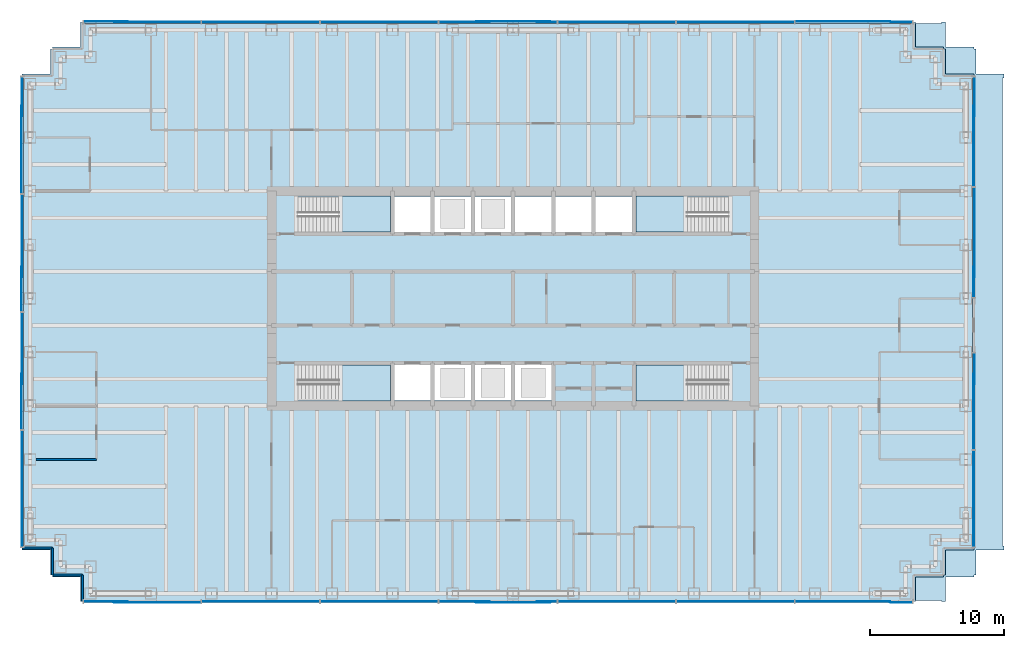
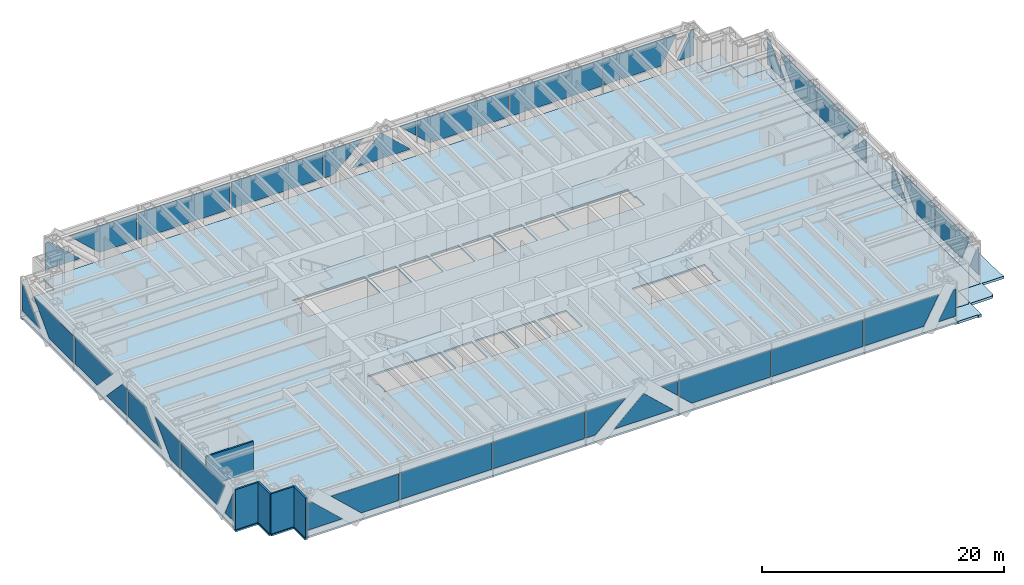
# One storey, part 6 of 12: 38 plates, 6 slabs, 5 walls, 9 elements without a shape of their own.
"""IFC4 building model written with IfcOpenShell, lengths in metres."""

from ifc_helpers import new_model, si_unit, direction, frame, frame_2d, origin, origin_2d, place, context, subcontext, project, spatial, polyline, rectangle, outline, extrude, material, layer, layer_set, type_object, element, aggregate, save


model = new_model("IFC4")

# Units and contexts
model_context = context("Model", 3, precision=1e-05, world=origin(), true_north=direction((0.0, 1.0)))
body_context = subcontext(model_context, "Body", "Model", "MODEL_VIEW")
ifc_project = project(units=[si_unit("LENGTHUNIT", "METRE"), si_unit("AREAUNIT", "SQUARE_METRE"), si_unit("VOLUMEUNIT", "CUBIC_METRE"), si_unit("PLANEANGLEUNIT", "RADIAN"), si_unit("MASSUNIT", "GRAM", prefix="KILO")], contexts=[model_context])

# Site, building, storey
site_placement = place(None, origin())
site = spatial("IfcSite", under=ifc_project, at=site_placement, CompositionType="ELEMENT")
building_placement = place(site_placement, origin())
building = spatial("IfcBuilding", under=site, at=building_placement, Name="Rheinbord Bourse Tower", CompositionType="ELEMENT")
storey_placement = place(building_placement, frame((0.0, 0.0, 271.10009765625)))
storey = spatial("IfcBuildingStorey", under=building, at=storey_placement, Name="L61", CompositionType="ELEMENT", Elevation=271.10009765625)

# Slab
ifc_material_1 = material(Name="Concrete C30/37", Category="concrete")
ifc_layer_1 = layer(ifc_material_1, 0.159912109375)
ifc_layer_set_1 = layer_set([ifc_layer_1], Name="COMPOSITE FLOOR SLAB 160")
slab_type_1 = type_object("IfcSlabType", Name="COMPOSITE FLOOR SLAB 160", PredefinedType="FLOOR", material=ifc_layer_set_1)
slab_1_placement = place(storey_placement, frame((0.0, 0.0, -0.16015625)))
element("IfcSlab", 1, at=slab_1_placement, inside=storey, type_object=slab_type_1, Name="Floor slab L61", PredefinedType="FLOOR", context=body_context, shape_type="SweptSolid", body=[
    extrude(outline(polyline([(1.64990234375, 3.39990234375), (1.5, 3.39990234375), (1.5, 5.25), (-0.60009765625, 5.25), (-0.60009765625, 5.550048828125), (-0.5, 5.550048828125), (-0.5, 40.449951171875), (-0.60009765625, 40.449951171875), (-0.60009765625, 40.75), (1.5, 40.75), (1.5, 42.60009765625), (1.64990234375, 42.60009765625), (1.64990234375, 42.75), (3.75, 42.75), (3.75, 44.60009765625), (4.050048828125, 44.60009765625), (4.050048828125, 44.5), (65.699951171875, 44.5), (65.699951171875, 44.60009765625), (66.0, 44.60009765625), (66.0, 42.75), (68.10009765625, 42.75), (68.10009765625, 42.60009765625), (68.25, 42.60009765625), (68.25, 40.75), (70.35009765625, 40.75), (70.35009765625, 40.449951171875), (70.25, 40.449951171875), (70.25, 5.550048828125), (70.35009765625, 5.550048828125), (70.35009765625, 5.25), (68.25, 5.25), (68.25, 3.39990234375), (68.10009765625, 3.39990234375), (68.10009765625, 3.25), (66.0, 3.25), (66.0, 1.39990234375), (65.699951171875, 1.39990234375), (65.699951171875, 1.5), (4.050048828125, 1.5), (4.050048828125, 1.39990234375), (3.75, 1.39990234375), (3.75, 3.25), (1.64990234375, 3.25), (1.64990234375, 3.39990234375)]), holes=[polyline([(19.949951171875, 19.050048828125), (26.85009765625, 19.050048828125), (26.85009765625, 16.39990234375), (19.949951171875, 16.39990234375), (19.949951171875, 16.449951171875), (20.10009765625, 16.449951171875), (20.10009765625, 17.64990234375), (19.949951171875, 17.64990234375), (19.949951171875, 19.050048828125)]), polyline([(19.949951171875, 31.60009765625), (26.85009765625, 31.60009765625), (26.85009765625, 28.949951171875), (19.949951171875, 28.949951171875), (19.949951171875, 30.35009765625), (20.10009765625, 30.35009765625), (20.10009765625, 31.550048828125), (19.949951171875, 31.550048828125), (19.949951171875, 31.60009765625)]), polyline([(52.050048828125, 16.39990234375), (45.14990234375, 16.39990234375), (45.14990234375, 19.050048828125), (52.050048828125, 19.050048828125), (52.050048828125, 17.64990234375), (51.89990234375, 17.64990234375), (51.89990234375, 16.449951171875), (52.050048828125, 16.449951171875), (52.050048828125, 16.39990234375)]), polyline([(52.050048828125, 28.949951171875), (45.14990234375, 28.949951171875), (45.14990234375, 31.60009765625), (52.050048828125, 31.60009765625), (52.050048828125, 31.550048828125), (51.89990234375, 31.550048828125), (51.89990234375, 30.35009765625), (52.050048828125, 30.35009765625), (52.050048828125, 28.949951171875)]), polyline([(27.14990234375, 16.39990234375), (27.14990234375, 19.050048828125), (29.85009765625, 19.050048828125), (29.85009765625, 16.39990234375), (27.14990234375, 16.39990234375)]), polyline([(27.14990234375, 28.949951171875), (27.14990234375, 31.60009765625), (29.85009765625, 31.60009765625), (29.85009765625, 28.949951171875), (27.14990234375, 28.949951171875)]), polyline([(30.14990234375, 16.39990234375), (30.14990234375, 19.050048828125), (32.85009765625, 19.050048828125), (32.85009765625, 16.39990234375), (30.14990234375, 16.39990234375)]), polyline([(30.14990234375, 28.949951171875), (30.14990234375, 31.60009765625), (32.85009765625, 31.60009765625), (32.85009765625, 28.949951171875), (30.14990234375, 28.949951171875)]), polyline([(33.14990234375, 16.39990234375), (33.14990234375, 19.050048828125), (35.85009765625, 19.050048828125), (35.85009765625, 16.39990234375), (33.14990234375, 16.39990234375)]), polyline([(33.14990234375, 28.949951171875), (33.14990234375, 31.60009765625), (35.85009765625, 31.60009765625), (35.85009765625, 28.949951171875), (33.14990234375, 28.949951171875)]), polyline([(36.14990234375, 16.39990234375), (36.14990234375, 19.050048828125), (38.85009765625, 19.050048828125), (38.85009765625, 16.39990234375), (36.14990234375, 16.39990234375)]), polyline([(36.14990234375, 28.949951171875), (36.14990234375, 31.60009765625), (38.85009765625, 31.60009765625), (38.85009765625, 28.949951171875), (36.14990234375, 28.949951171875)]), polyline([(39.14990234375, 28.949951171875), (39.14990234375, 31.60009765625), (41.85009765625, 31.60009765625), (41.85009765625, 28.949951171875), (39.14990234375, 28.949951171875)]), polyline([(42.14990234375, 28.949951171875), (42.14990234375, 31.60009765625), (44.85009765625, 31.60009765625), (44.85009765625, 28.949951171875), (42.14990234375, 28.949951171875)])]), origin(), (0.0, 0.0, 1.0), 0.16015625),
])

# Curtain wall, plates
ifc_material_2 = material(Name="Dark glass and black aluminium", Category="aluminium")
curtain_wall_type = type_object("IfcCurtainWallType", Name="CW6 DARK GLASS CURTAIN WALL", PredefinedType="USERDEFINED", material=ifc_material_2)
curtain_wall_1_placement = place(storey_placement, origin())
curtain_wall_1 = element("IfcCurtainWall", 2, at=curtain_wall_1_placement, inside=storey, type_object=curtain_wall_type, Name="Curtain wall CW6 S L61", ObjectType="UNITISED CURTAIN WALL", PredefinedType="USERDEFINED")
ifc_material_3 = material(Name="Dark tinted triple insulating glass", Category="glass")
ifc_layer_2 = layer(ifc_material_3, 0.050048828125)
ifc_layer_set_2 = layer_set([ifc_layer_2], Name="CW6 DARK GLASS PANEL")
plate_type = type_object("IfcPlateType", Name="CW6 DARK GLASS PANEL", PredefinedType="CURTAIN_PANEL", material=ifc_layer_set_2)
plate_1_placement = place(storey_placement, frame((17.175048828125, 1.39990234375, 0.75), z_axis=(0.0, 0.0, 1.0), x_axis=(1.0, 0.0, 0.0)))
plate_1 = element("IfcPlate", 3, at=plate_1_placement, type_object=plate_type, Name="CW6 panel 2.1", PredefinedType="CURTAIN_PANEL", context=body_context, shape_type="SweptSolid", body=[
    extrude(rectangle(XDim=8.75, YDim=0.050048828125, at=origin_2d()), origin(), (0.0, 0.0, 1.0), 2.699951171875),
])
plate_2_placement = place(storey_placement, frame((26.02490234375, 1.39990234375, 0.75), z_axis=(0.0, 0.0, 1.0), x_axis=(1.0, 0.0, 0.0)))
plate_2 = element("IfcPlate", 4, at=plate_2_placement, type_object=plate_type, Name="CW6 panel 3.1", PredefinedType="CURTAIN_PANEL", context=body_context, shape_type="SweptSolid", body=[
    extrude(rectangle(XDim=8.75, YDim=0.050048828125, at=origin_2d()), origin(), (0.0, 0.0, 1.0), 2.699951171875),
])
plate_3_placement = place(storey_placement, frame((52.574951171875, 1.39990234375, 0.75), z_axis=(0.0, 0.0, 1.0), x_axis=(1.0, 0.0, 0.0)))
plate_3 = element("IfcPlate", 5, at=plate_3_placement, type_object=plate_type, Name="CW6 panel 6.1", PredefinedType="CURTAIN_PANEL", context=body_context, shape_type="SweptSolid", body=[
    extrude(rectangle(XDim=8.75, YDim=0.050048828125, at=origin_2d()), origin(), (0.0, 0.0, 1.0), 2.699951171875),
])
plate_4_placement = place(storey_placement, frame((4.0, 1.375, 0.75), z_axis=(0.0, 1.0, 0.0), x_axis=(0.0, 0.0, 1.0)))
plate_4 = element("IfcPlate", 6, at=plate_4_placement, type_object=plate_type, Name="CW6 glass facet 1", PredefinedType="CURTAIN_PANEL", context=body_context, shape_type="SweptSolid", body=[
    extrude(outline(polyline([(0.0, 0.0), (2.699951171875, 0.0), (2.699951171875, 0.4169921875), (0.0, 3.31005859375), (0.0, 0.0)])), origin(), (0.0, 0.0, 1.0), 0.050048828125),
])
plate_5_placement = place(storey_placement, frame((12.699951171875, 1.31982421875, 3.449951171875), z_axis=(0.0, 1.0, 0.0), x_axis=(0.0, 0.0, -1.0)))
plate_5 = element("IfcPlate", 7, at=plate_5_placement, type_object=plate_type, Name="CW6 glass facet 2", PredefinedType="CURTAIN_PANEL", context=body_context, shape_type="SweptSolid", body=[
    extrude(outline(polyline([(0.0, 0.0), (2.699951171875, 0.0), (2.699951171875, 3.616943359375), (0.0, 6.510009765625), (0.0, 0.0)])), origin(), (0.0, 0.0, 1.0), 0.050048828125),
])
plate_6_placement = place(storey_placement, frame((30.5, 1.375, 0.75), z_axis=(0.0, 1.0, 0.0), x_axis=(0.0, 0.0, 1.0)))
plate_6 = element("IfcPlate", 8, at=plate_6_placement, type_object=plate_type, Name="CW6 glass facet 1", PredefinedType="CURTAIN_PANEL", context=body_context, shape_type="SweptSolid", body=[
    extrude(outline(polyline([(0.0, 0.0), (2.699951171875, 0.0), (2.699951171875, 3.81005859375), (0.0, 0.9169921875), (0.0, 0.0)])), origin(), (0.0, 0.0, 1.0), 0.050048828125),
])
plate_7_placement = place(storey_placement, frame((33.18994140625, 1.31982421875, 0.75), z_axis=(0.0, 1.0, 0.0), x_axis=(0.731171443304, 0.0, 0.682193755833)))
plate_7 = element("IfcPlate", 9, at=plate_7_placement, type_object=plate_type, Name="CW6 glass facet 2", PredefinedType="CURTAIN_PANEL", context=body_context, shape_type="SweptSolid", body=[
    extrude(outline(polyline([(0.0, 0.0), (3.84326171875, 0.0), (4.109375, 3.833984375), (0.0, 0.0)])), origin(), (0.0, 0.0, 1.0), 0.050048828125),
])
plate_8_placement = place(storey_placement, frame((39.25, 1.375, 3.449951171875), z_axis=(0.0, 1.0, 0.0), x_axis=(0.0, 0.0, -1.0)))
plate_8 = element("IfcPlate", 10, at=plate_8_placement, type_object=plate_type, Name="CW6 glass facet 3", PredefinedType="CURTAIN_PANEL", context=body_context, shape_type="SweptSolid", body=[
    extrude(outline(polyline([(0.0, 0.0), (1.4560546875, 0.0), (0.0, 1.56005859375), (0.0, 0.0)])), origin(), (0.0, 0.0, 1.0), 0.050048828125),
])
plate_9_placement = place(storey_placement, frame((39.35009765625, 1.375, 3.449951171875), z_axis=(0.0, 1.0, 0.0), x_axis=(1.0, 0.0, 0.0)))
plate_9 = element("IfcPlate", 11, at=plate_9_placement, type_object=plate_type, Name="CW6 glass facet 1", PredefinedType="CURTAIN_PANEL", context=body_context, shape_type="SweptSolid", body=[
    extrude(outline(polyline([(0.0, 0.0), (8.75, 0.0), (8.75, 2.699951171875), (1.23291015625, 2.699951171875), (0.0, 1.549072265625), (0.0, 0.0)])), origin(), (0.0, 0.0, 1.0), 0.050048828125),
])
plate_10_placement = place(storey_placement, frame((57.050048828125, 1.375, 0.75), z_axis=(0.0, 1.0, 0.0), x_axis=(0.0, 0.0, 1.0)))
plate_10 = element("IfcPlate", 12, at=plate_10_placement, type_object=plate_type, Name="CW6 glass facet 1", PredefinedType="CURTAIN_PANEL", context=body_context, shape_type="SweptSolid", body=[
    extrude(outline(polyline([(0.0, 0.0), (2.699951171875, 0.0), (2.699951171875, 7.112060546875), (0.0, 5.6650390625), (0.0, 0.0)])), origin(), (0.0, 0.0, 1.0), 0.050048828125),
])
plate_11_placement = place(storey_placement, frame((65.75, 1.31982421875, 3.449951171875), z_axis=(0.0, 1.0, 0.0), x_axis=(0.0, 0.0, -1.0)))
plate_11 = element("IfcPlate", 13, at=plate_11_placement, type_object=plate_type, Name="CW6 glass facet 2", PredefinedType="CURTAIN_PANEL", context=body_context, shape_type="SweptSolid", body=[
    extrude(outline(polyline([(0.0, 0.0), (2.699951171875, 0.0), (2.699951171875, 1.662109375), (0.0, 0.215087890625), (0.0, 0.0)])), origin(), (0.0, 0.0, 1.0), 0.050048828125),
])
aggregate(curtain_wall_1, [plate_1, plate_2, plate_3, plate_4, plate_5, plate_6, plate_7, plate_8, plate_9, plate_10, plate_11])

curtain_wall_2_placement = place(storey_placement, origin())
curtain_wall_2 = element("IfcCurtainWall", 14, at=curtain_wall_2_placement, inside=storey, type_object=curtain_wall_type, Name="Curtain wall CW6 E L61", ObjectType="UNITISED CURTAIN WALL", PredefinedType="USERDEFINED")
plate_12_placement = place(storey_placement, frame((70.375, 5.5, 0.75), z_axis=(-1.0, 0.0, 0.0), x_axis=(0.0, 0.0, 1.0)))
plate_12 = element("IfcPlate", 15, at=plate_12_placement, type_object=plate_type, Name="CW6 glass facet 1", PredefinedType="CURTAIN_PANEL", context=body_context, shape_type="SweptSolid", body=[
    extrude(outline(polyline([(0.0, 0.0), (2.699951171875, 0.0), (2.699951171875, 0.18701171875), (0.0, 1.472900390625), (0.0, 0.0)])), origin(), (0.0, 0.0, 1.0), 0.050048828125),
])
plate_13_placement = place(storey_placement, frame((70.375, 12.64990234375, 3.449951171875), z_axis=(-1.0, 0.0, 0.0), x_axis=(0.0, 0.0, -1.0)))
plate_13 = element("IfcPlate", 16, at=plate_13_placement, type_object=plate_type, Name="CW6 glass facet 2", PredefinedType="CURTAIN_PANEL", context=body_context, shape_type="SweptSolid", body=[
    extrude(outline(polyline([(0.0, 0.0), (2.699951171875, 0.0), (2.699951171875, 4.3369140625), (0.0, 5.622802734375), (0.0, 0.0)])), origin(), (0.0, 0.0, 1.0), 0.050048828125),
])
plate_14_placement = place(storey_placement, frame((70.375, 12.75, 0.75), z_axis=(-1.0, 0.0, 0.0), x_axis=(0.0, 0.0, 1.0)))
plate_14 = element("IfcPlate", 17, at=plate_14_placement, type_object=plate_type, Name="CW6 glass facet 1", PredefinedType="CURTAIN_PANEL", context=body_context, shape_type="SweptSolid", body=[
    extrude(outline(polyline([(0.0, 0.0), (2.699951171875, 0.0), (2.699951171875, 5.699951171875), (0.0, 3.12890625), (0.0, 0.0)])), origin(), (0.0, 0.0, 1.0), 0.050048828125),
])
plate_15_placement = place(storey_placement, frame((70.43017578125, 19.89990234375, 0.75), z_axis=(-1.0, 0.0, 0.0), x_axis=(0.0, -1.0, 0.0)))
plate_15 = element("IfcPlate", 18, at=plate_15_placement, type_object=plate_type, Name="CW6 glass facet 2", PredefinedType="CURTAIN_PANEL", context=body_context, shape_type="SweptSolid", body=[
    extrude(outline(polyline([(0.0, 0.0), (2.349853515625, 0.0), (0.0, 2.468017578125), (0.0, 0.0)])), origin(), (0.0, 0.0, 1.0), 0.050048828125),
])
aggregate(curtain_wall_2, [plate_12, plate_13, plate_14, plate_15])

curtain_wall_3_placement = place(storey_placement, origin())
curtain_wall_3 = element("IfcCurtainWall", 19, at=curtain_wall_3_placement, inside=storey, type_object=curtain_wall_type, Name="Curtain wall CW6 E L61", ObjectType="UNITISED CURTAIN WALL", PredefinedType="USERDEFINED")
plate_16_placement = place(storey_placement, frame((70.375, 24.10009765625, 0.75), z_axis=(-1.0, 0.0, 0.0), x_axis=(0.0, 0.0, 1.0)))
plate_16 = element("IfcPlate", 20, at=plate_16_placement, type_object=plate_type, Name="CW6 glass facet 1", PredefinedType="CURTAIN_PANEL", context=body_context, shape_type="SweptSolid", body=[
    extrude(outline(polyline([(0.0, 0.0), (2.468017578125, 0.0), (0.0, 2.349853515625), (0.0, 0.0)])), origin(), (0.0, 0.0, 1.0), 0.050048828125),
])
plate_17_placement = place(storey_placement, frame((70.43017578125, 32.25, 3.449951171875), z_axis=(-1.0, 0.0, 0.0), x_axis=(0.0, 0.0, -1.0)))
plate_17 = element("IfcPlate", 21, at=plate_17_placement, type_object=plate_type, Name="CW6 glass facet 2", PredefinedType="CURTAIN_PANEL", context=body_context, shape_type="SweptSolid", body=[
    extrude(outline(polyline([(0.0, 0.0), (2.699951171875, 0.0), (2.699951171875, 4.12890625), (0.0, 6.699951171875), (0.0, 0.0)])), origin(), (0.0, 0.0, 1.0), 0.050048828125),
])
plate_18_placement = place(storey_placement, frame((70.375, 32.35009765625, 0.75), z_axis=(-1.0, 0.0, 0.0), x_axis=(0.0, 0.0, 1.0)))
plate_18 = element("IfcPlate", 22, at=plate_18_placement, type_object=plate_type, Name="CW6 glass facet 1", PredefinedType="CURTAIN_PANEL", context=body_context, shape_type="SweptSolid", body=[
    extrude(outline(polyline([(0.0, 0.0), (2.699951171875, 0.0), (2.699951171875, 6.099853515625), (0.0, 3.52880859375), (0.0, 0.0)])), origin(), (0.0, 0.0, 1.0), 0.050048828125),
])
plate_19_placement = place(storey_placement, frame((70.43017578125, 40.5, 3.449951171875), z_axis=(-1.0, 0.0, 0.0), x_axis=(0.0, 0.0, -1.0)))
plate_19 = element("IfcPlate", 23, at=plate_19_placement, type_object=plate_type, Name="CW6 glass facet 2", PredefinedType="CURTAIN_PANEL", context=body_context, shape_type="SweptSolid", body=[
    extrude(outline(polyline([(0.0, 0.0), (2.699951171875, 0.0), (2.699951171875, 2.949951171875), (0.0, 0.37890625), (0.0, 0.0)])), origin(), (0.0, 0.0, 1.0), 0.050048828125),
])
aggregate(curtain_wall_3, [plate_16, plate_17, plate_18, plate_19])

curtain_wall_4_placement = place(storey_placement, origin())
curtain_wall_4 = element("IfcCurtainWall", 24, at=curtain_wall_4_placement, inside=storey, type_object=curtain_wall_type, Name="Curtain wall CW6 N L61", ObjectType="UNITISED CURTAIN WALL", PredefinedType="USERDEFINED")
plate_20_placement = place(storey_placement, frame((52.574951171875, 44.60009765625, 0.75), z_axis=(0.0, 0.0, 1.0), x_axis=(-1.0, 0.0, 0.0)))
plate_20 = element("IfcPlate", 25, at=plate_20_placement, type_object=plate_type, Name="CW6 panel 2.1", PredefinedType="CURTAIN_PANEL", context=body_context, shape_type="SweptSolid", body=[
    extrude(rectangle(XDim=8.75, YDim=0.050048828125, at=origin_2d()), origin(), (0.0, 0.0, 1.0), 2.699951171875),
])
plate_21_placement = place(storey_placement, frame((26.02490234375, 44.60009765625, 0.75), z_axis=(0.0, 0.0, 1.0), x_axis=(-1.0, 0.0, 0.0)))
plate_21 = element("IfcPlate", 26, at=plate_21_placement, type_object=plate_type, Name="CW6 panel 5.1", PredefinedType="CURTAIN_PANEL", context=body_context, shape_type="SweptSolid", body=[
    extrude(rectangle(XDim=8.75, YDim=0.050048828125, at=origin_2d()), origin(), (0.0, 0.0, 1.0), 2.699951171875),
])
plate_22_placement = place(storey_placement, frame((17.175048828125, 44.60009765625, 0.75), z_axis=(0.0, 0.0, 1.0), x_axis=(-1.0, 0.0, 0.0)))
plate_22 = element("IfcPlate", 27, at=plate_22_placement, type_object=plate_type, Name="CW6 panel 6.1", PredefinedType="CURTAIN_PANEL", context=body_context, shape_type="SweptSolid", body=[
    extrude(rectangle(XDim=8.75, YDim=0.050048828125, at=origin_2d()), origin(), (0.0, 0.0, 1.0), 2.699951171875),
])
plate_23_placement = place(storey_placement, frame((65.75, 44.625, 0.75), z_axis=(0.0, -1.0, 0.0), x_axis=(0.0, 0.0, 1.0)))
plate_23 = element("IfcPlate", 28, at=plate_23_placement, type_object=plate_type, Name="CW6 glass facet 1", PredefinedType="CURTAIN_PANEL", context=body_context, shape_type="SweptSolid", body=[
    extrude(outline(polyline([(0.0, 0.0), (2.699951171875, 0.0), (2.699951171875, 0.215087890625), (0.0, 1.662109375), (0.0, 0.0)])), origin(), (0.0, 0.0, 1.0), 0.050048828125),
])
plate_24_placement = place(storey_placement, frame((57.050048828125, 44.68017578125, 3.449951171875), z_axis=(0.0, -1.0, 0.0), x_axis=(0.0, 0.0, -1.0)))
plate_24 = element("IfcPlate", 29, at=plate_24_placement, type_object=plate_type, Name="CW6 glass facet 2", PredefinedType="CURTAIN_PANEL", context=body_context, shape_type="SweptSolid", body=[
    extrude(outline(polyline([(0.0, 0.0), (2.699951171875, 0.0), (2.699951171875, 5.6650390625), (0.0, 7.112060546875), (0.0, 0.0)])), origin(), (0.0, 0.0, 1.0), 0.050048828125),
])
plate_25_placement = place(storey_placement, frame((48.10009765625, 44.625, 0.75), z_axis=(0.0, -1.0, 0.0), x_axis=(0.0, 0.0, 1.0)))
plate_25 = element("IfcPlate", 30, at=plate_25_placement, type_object=plate_type, Name="CW6 glass facet 1", PredefinedType="CURTAIN_PANEL", context=body_context, shape_type="SweptSolid", body=[
    extrude(outline(polyline([(0.0, 0.0), (2.699951171875, 0.0), (2.699951171875, 8.75), (1.15087890625, 8.75), (0.0, 7.51708984375), (0.0, 0.0)])), origin(), (0.0, 0.0, 1.0), 0.050048828125),
])
plate_26_placement = place(storey_placement, frame((39.25, 44.625, 3.449951171875), z_axis=(0.0, -1.0, 0.0), x_axis=(-1.0, 0.0, 0.0)))
plate_26 = element("IfcPlate", 31, at=plate_26_placement, type_object=plate_type, Name="CW6 glass facet 1", PredefinedType="CURTAIN_PANEL", context=body_context, shape_type="SweptSolid", body=[
    extrude(outline(polyline([(0.0, 0.0), (1.56005859375, 0.0), (0.0, 1.4560546875), (0.0, 0.0)])), origin(), (0.0, 0.0, 1.0), 0.050048828125),
])
plate_27_placement = place(storey_placement, frame((38.81005859375, 44.68017578125, 0.75), z_axis=(0.0, -1.0, 0.0), x_axis=(-0.731171443304, 0.0, 0.682193755833)))
plate_27 = element("IfcPlate", 32, at=plate_27_placement, type_object=plate_type, Name="CW6 glass facet 2", PredefinedType="CURTAIN_PANEL", context=body_context, shape_type="SweptSolid", body=[
    extrude(outline(polyline([(0.0, 0.0), (3.84326171875, 0.0), (4.109375, 3.833984375), (0.0, 0.0)])), origin(), (0.0, 0.0, 1.0), 0.050048828125),
])
plate_28_placement = place(storey_placement, frame((30.5, 44.625, 3.449951171875), z_axis=(0.0, -1.0, 0.0), x_axis=(0.0, 0.0, -1.0)))
plate_28 = element("IfcPlate", 33, at=plate_28_placement, type_object=plate_type, Name="CW6 glass facet 3", PredefinedType="CURTAIN_PANEL", context=body_context, shape_type="SweptSolid", body=[
    extrude(outline(polyline([(0.0, 0.0), (2.699951171875, 0.0), (2.699951171875, 0.9169921875), (0.0, 3.81005859375), (0.0, 0.0)])), origin(), (0.0, 0.0, 1.0), 0.050048828125),
])
plate_29_placement = place(storey_placement, frame((12.699951171875, 44.625, 0.75), z_axis=(0.0, -1.0, 0.0), x_axis=(0.0, 0.0, 1.0)))
plate_29 = element("IfcPlate", 34, at=plate_29_placement, type_object=plate_type, Name="CW6 glass facet 1", PredefinedType="CURTAIN_PANEL", context=body_context, shape_type="SweptSolid", body=[
    extrude(outline(polyline([(0.0, 0.0), (2.699951171875, 0.0), (2.699951171875, 6.510009765625), (0.0, 3.616943359375), (0.0, 0.0)])), origin(), (0.0, 0.0, 1.0), 0.050048828125),
])
plate_30_placement = place(storey_placement, frame((4.0, 44.68017578125, 3.449951171875), z_axis=(0.0, -1.0, 0.0), x_axis=(0.0, 0.0, -1.0)))
plate_30 = element("IfcPlate", 35, at=plate_30_placement, type_object=plate_type, Name="CW6 glass facet 2", PredefinedType="CURTAIN_PANEL", context=body_context, shape_type="SweptSolid", body=[
    extrude(outline(polyline([(0.0, 0.0), (2.699951171875, 0.0), (2.699951171875, 3.31005859375), (0.0, 0.4169921875), (0.0, 0.0)])), origin(), (0.0, 0.0, 1.0), 0.050048828125),
])
aggregate(curtain_wall_4, [plate_20, plate_21, plate_22, plate_23, plate_24, plate_25, plate_26, plate_27, plate_28, plate_29, plate_30])

curtain_wall_5_placement = place(storey_placement, origin())
curtain_wall_5 = element("IfcCurtainWall", 36, at=curtain_wall_5_placement, inside=storey, type_object=curtain_wall_type, Name="Curtain wall CW6 W L61", ObjectType="UNITISED CURTAIN WALL", PredefinedType="USERDEFINED")
plate_31_placement = place(storey_placement, frame((-0.625, 40.5, 0.75), z_axis=(1.0, 0.0, 0.0), x_axis=(0.0, 0.0, 1.0)))
plate_31 = element("IfcPlate", 37, at=plate_31_placement, type_object=plate_type, Name="CW6 glass facet 1", PredefinedType="CURTAIN_PANEL", context=body_context, shape_type="SweptSolid", body=[
    extrude(outline(polyline([(0.0, 0.0), (2.699951171875, 0.0), (2.699951171875, 0.37890625), (0.0, 2.949951171875), (0.0, 0.0)])), origin(), (0.0, 0.0, 1.0), 0.050048828125),
])
plate_32_placement = place(storey_placement, frame((-0.68017578125, 31.85009765625, 3.449951171875), z_axis=(1.0, 0.0, 0.0), x_axis=(0.0, 0.0, -1.0)))
plate_32 = element("IfcPlate", 38, at=plate_32_placement, type_object=plate_type, Name="CW6 glass facet 2", PredefinedType="CURTAIN_PANEL", context=body_context, shape_type="SweptSolid", body=[
    extrude(outline(polyline([(0.0, 0.0), (2.699951171875, 0.0), (2.699951171875, 4.02880859375), (0.0, 6.599853515625), (0.0, 0.0)])), origin(), (0.0, 0.0, 1.0), 0.050048828125),
])
plate_33_placement = place(storey_placement, frame((-0.625, 31.75, 0.75), z_axis=(1.0, 0.0, 0.0), x_axis=(0.0, 0.0, 1.0)))
plate_33 = element("IfcPlate", 39, at=plate_33_placement, type_object=plate_type, Name="CW6 glass facet 1", PredefinedType="CURTAIN_PANEL", context=body_context, shape_type="SweptSolid", body=[
    extrude(outline(polyline([(0.0, 0.0), (2.699951171875, 0.0), (2.699951171875, 6.199951171875), (0.0, 3.62890625), (0.0, 0.0)])), origin(), (0.0, 0.0, 1.0), 0.050048828125),
])
plate_34_placement = place(storey_placement, frame((-0.68017578125, 23.050048828125, 3.449951171875), z_axis=(1.0, 0.0, 0.0), x_axis=(0.0, 0.0, -1.0)))
plate_34 = element("IfcPlate", 40, at=plate_34_placement, type_object=plate_type, Name="CW6 glass facet 2", PredefinedType="CURTAIN_PANEL", context=body_context, shape_type="SweptSolid", body=[
    extrude(outline(polyline([(0.0, 0.0), (2.699951171875, 0.0), (2.699951171875, 3.39990234375), (0.0, 0.828857421875), (0.0, 0.0)])), origin(), (0.0, 0.0, 1.0), 0.050048828125),
])
plate_35_placement = place(storey_placement, frame((-0.625, 22.949951171875, 0.75), z_axis=(1.0, 0.0, 0.0), x_axis=(0.0, 0.0, 1.0)))
plate_35 = element("IfcPlate", 41, at=plate_35_placement, type_object=plate_type, Name="CW6 glass facet 1", PredefinedType="CURTAIN_PANEL", context=body_context, shape_type="SweptSolid", body=[
    extrude(outline(polyline([(0.0, 0.0), (2.699951171875, 0.0), (2.699951171875, 2.828857421875), (0.0, 5.39990234375), (0.0, 0.0)])), origin(), (0.0, 0.0, 1.0), 0.050048828125),
])
plate_36_placement = place(storey_placement, frame((-0.68017578125, 14.25, 3.449951171875), z_axis=(1.0, 0.0, 0.0), x_axis=(0.0, 0.0, -1.0)))
plate_36 = element("IfcPlate", 42, at=plate_36_placement, type_object=plate_type, Name="CW6 glass facet 2", PredefinedType="CURTAIN_PANEL", context=body_context, shape_type="SweptSolid", body=[
    extrude(outline(polyline([(0.0, 0.0), (2.699951171875, 0.0), (2.699951171875, 1.62890625), (0.0, 4.199951171875), (0.0, 0.0)])), origin(), (0.0, 0.0, 1.0), 0.050048828125),
])
plate_37_placement = place(storey_placement, frame((-0.625, 14.14990234375, 0.75), z_axis=(1.0, 0.0, 0.0), x_axis=(0.0, 0.0, 1.0)))
plate_37 = element("IfcPlate", 43, at=plate_37_placement, type_object=plate_type, Name="CW6 glass facet 1", PredefinedType="CURTAIN_PANEL", context=body_context, shape_type="SweptSolid", body=[
    extrude(outline(polyline([(0.0, 0.0), (2.699951171875, 0.0), (2.699951171875, 7.122802734375), (0.0, 5.8369140625), (0.0, 0.0)])), origin(), (0.0, 0.0, 1.0), 0.050048828125),
])
plate_38_placement = place(storey_placement, frame((-0.625, 5.5, 3.449951171875), z_axis=(1.0, 0.0, 0.0), x_axis=(0.0, 0.0, -1.0)))
plate_38 = element("IfcPlate", 44, at=plate_38_placement, type_object=plate_type, Name="CW6 glass facet 2", PredefinedType="CURTAIN_PANEL", context=body_context, shape_type="SweptSolid", body=[
    extrude(outline(polyline([(0.0, 0.0), (2.699951171875, 0.0), (2.699951171875, 1.472900390625), (0.0, 0.18701171875), (0.0, 0.0)])), origin(), (0.0, 0.0, 1.0), 0.050048828125),
])
aggregate(curtain_wall_5, [plate_31, plate_32, plate_33, plate_34, plate_35, plate_36, plate_37, plate_38])

# Slab
ifc_material_4 = material(Name="Concrete C30/37", Category="concrete")
ifc_layer_3 = layer(ifc_material_4, 0.25)
ifc_layer_set_3 = layer_set([ifc_layer_3], Name="ROOF SLAB 250")
slab_type_2 = type_object("IfcSlabType", Name="ROOF SLAB 250", PredefinedType="ROOF", material=ifc_layer_set_3)
slab_2_placement = place(storey_placement, frame((0.0, 0.0, -0.25)))
element("IfcSlab", 45, at=slab_2_placement, inside=storey, type_object=slab_type_2, Name="Setback roof L60 part 1 (maintenance access only)", PredefinedType="ROOF", context=body_context, shape_type="SweptSolid", body=[
    extrude(outline(polyline([(67.949951171875, 44.5), (67.949951171875, 44.60009765625), (68.25, 44.60009765625), (68.25, 42.75), (70.35009765625, 42.75), (70.35009765625, 42.60009765625), (70.5, 42.60009765625), (70.5, 40.75), (72.60009765625, 40.75), (72.60009765625, 40.449951171875), (72.5, 40.449951171875), (72.5, 5.550048828125), (72.60009765625, 5.550048828125), (72.60009765625, 5.25), (70.5, 5.25), (70.5, 3.39990234375), (70.35009765625, 3.39990234375), (70.35009765625, 3.25), (68.25, 3.25), (68.25, 1.39990234375), (67.949951171875, 1.39990234375), (67.949951171875, 1.5), (66.0, 1.5), (66.0, 3.25), (68.10009765625, 3.25), (68.10009765625, 3.39990234375), (68.25, 3.39990234375), (68.25, 5.25), (70.35009765625, 5.25), (70.35009765625, 5.39990234375), (70.35009765625, 5.5), (70.35009765625, 5.550048828125), (70.25, 5.550048828125), (70.25, 40.449951171875), (70.35009765625, 40.449951171875), (70.35009765625, 40.5), (70.35009765625, 40.60009765625), (70.35009765625, 40.75), (68.25, 40.75), (68.25, 42.60009765625), (68.10009765625, 42.60009765625), (68.10009765625, 42.75), (66.0, 42.75), (66.0, 44.5), (67.949951171875, 44.5)])), origin(), (0.0, 0.0, 1.0), 0.25),
])

# Stair, slab
ifc_material_5 = material(Name="Concrete C30/37", Category="concrete")
stair_type = type_object("IfcStairType", Name="CORE STAIR HALF TURN 4200", PredefinedType="HALF_TURN_STAIR", material=ifc_material_5)
stair_1_placement = place(storey_placement, origin())
stair_1 = element("IfcStair", 46, at=stair_1_placement, inside=storey, type_object=stair_type, Name="Stair ST1 L61, type CS6", PredefinedType="HALF_TURN_STAIR")
ifc_material_6 = material(Name="Concrete C30/37", Category="concrete")
ifc_layer_4 = layer(ifc_material_6, 0.199951171875)
ifc_layer_set_4 = layer_set([ifc_layer_4], Name="STAIR LANDING 200")
slab_type_3 = type_object("IfcSlabType", Name="STAIR LANDING 200", PredefinedType="LANDING", material=ifc_layer_set_4)
slab_3_placement = place(storey_placement, frame((0.0, 0.0, 1.89990234375)))
slab_3 = element("IfcSlab", 47, at=slab_3_placement, type_object=slab_type_3, Name="Half landing ST1 L61", PredefinedType="LANDING", context=body_context, shape_type="SweptSolid", body=[
    extrude(outline(polyline([(23.030029296875, 16.35009765625), (26.85009765625, 16.35009765625), (26.85009765625, 19.050048828125), (21.748046875, 19.050048828125), (21.748046875, 17.85009765625), (23.030029296875, 17.85009765625), (23.030029296875, 16.35009765625)])), origin(), (0.0, 0.0, 1.0), 0.199951171875),
])
aggregate(stair_1, [slab_3])

stair_2_placement = place(storey_placement, origin())
stair_2 = element("IfcStair", 48, at=stair_2_placement, inside=storey, type_object=stair_type, Name="Stair ST2 L61, type CS6", PredefinedType="HALF_TURN_STAIR")
slab_4_placement = place(storey_placement, frame((0.0, 0.0, 1.89990234375)))
slab_4 = element("IfcSlab", 49, at=slab_4_placement, type_object=slab_type_3, Name="Half landing ST2 L61", PredefinedType="LANDING", context=body_context, shape_type="SweptSolid", body=[
    extrude(outline(polyline([(21.748046875, 28.949951171875), (26.85009765625, 28.949951171875), (26.85009765625, 31.64990234375), (23.030029296875, 31.64990234375), (23.030029296875, 30.14990234375), (21.748046875, 30.14990234375), (21.748046875, 28.949951171875)])), origin(), (0.0, 0.0, 1.0), 0.199951171875),
])
aggregate(stair_2, [slab_4])

stair_3_placement = place(storey_placement, origin())
stair_3 = element("IfcStair", 50, at=stair_3_placement, inside=storey, type_object=stair_type, Name="Stair ST3 L61, type CS6", PredefinedType="HALF_TURN_STAIR")
slab_5_placement = place(storey_placement, frame((0.0, 0.0, 1.89990234375)))
slab_5 = element("IfcSlab", 51, at=slab_5_placement, type_object=slab_type_3, Name="Half landing ST3 L61", PredefinedType="LANDING", context=body_context, shape_type="SweptSolid", body=[
    extrude(outline(polyline([(45.14990234375, 16.35009765625), (48.969970703125, 16.35009765625), (48.969970703125, 17.85009765625), (50.251953125, 17.85009765625), (50.251953125, 19.050048828125), (45.14990234375, 19.050048828125), (45.14990234375, 16.35009765625)])), origin(), (0.0, 0.0, 1.0), 0.199951171875),
])
aggregate(stair_3, [slab_5])

stair_4_placement = place(storey_placement, origin())
stair_4 = element("IfcStair", 52, at=stair_4_placement, inside=storey, type_object=stair_type, Name="Stair ST4 L61, type CS6", PredefinedType="HALF_TURN_STAIR")
slab_6_placement = place(storey_placement, frame((0.0, 0.0, 1.89990234375)))
slab_6 = element("IfcSlab", 53, at=slab_6_placement, type_object=slab_type_3, Name="Half landing ST4 L61", PredefinedType="LANDING", context=body_context, shape_type="SweptSolid", body=[
    extrude(outline(polyline([(45.14990234375, 28.949951171875), (50.251953125, 28.949951171875), (50.251953125, 30.14990234375), (48.969970703125, 30.14990234375), (48.969970703125, 31.64990234375), (45.14990234375, 31.64990234375), (45.14990234375, 28.949951171875)])), origin(), (0.0, 0.0, 1.0), 0.199951171875),
])
aggregate(stair_4, [slab_6])

# Walls
ifc_material_7 = material(Name="Black metal rainscreen panel", Category="aluminium")
ifc_layer_5 = layer(ifc_material_7, 0.14990234375)
ifc_layer_set_5 = layer_set([ifc_layer_5], Name="CORNER PIER CLADDING 150")
wall_type_1 = type_object("IfcWallType", Name="CORNER PIER CLADDING 150", PredefinedType="ELEMENTEDWALL", material=ifc_layer_set_5)
wall_1_placement = place(storey_placement, frame((-0.60009765625, 5.39990234375, 0.0), z_axis=(0.0, 0.0, 1.0), x_axis=(1.0, 0.0, 0.0)))
element("IfcWall", 54, at=wall_1_placement, inside=storey, type_object=wall_type_1, Name="Corner pier cladding L61 19", PredefinedType="ELEMENTEDWALL", context=body_context, shape_type="SweptSolid", body=[
    extrude(rectangle(XDim=2.25, YDim=0.14990234375, at=frame_2d((1.125, 0.0))), origin(), (0.0, 0.0, 1.0), 4.039794921875),
])
wall_2_placement = place(storey_placement, frame((1.64990234375, 5.39990234375, 0.0), z_axis=(0.0, 0.0, 1.0), x_axis=(0.0, -1.0, 0.0)))
element("IfcWall", 55, at=wall_2_placement, inside=storey, type_object=wall_type_1, Name="Corner pier cladding L61 20", PredefinedType="ELEMENTEDWALL", context=body_context, shape_type="SweptSolid", body=[
    extrude(rectangle(XDim=2.0, YDim=0.14990234375, at=frame_2d((1.0, 0.0))), origin(), (0.0, 0.0, 1.0), 4.039794921875),
])
wall_3_placement = place(storey_placement, frame((1.64990234375, 3.39990234375, 0.0), z_axis=(0.0, 0.0, 1.0), x_axis=(1.0, 0.0, 0.0)))
element("IfcWall", 56, at=wall_3_placement, inside=storey, type_object=wall_type_1, Name="Corner pier cladding L61 21", PredefinedType="ELEMENTEDWALL", context=body_context, shape_type="SweptSolid", body=[
    extrude(rectangle(XDim=2.25, YDim=0.14990234375, at=frame_2d((1.125, 0.0))), origin(), (0.0, 0.0, 1.0), 4.039794921875),
])
wall_4_placement = place(storey_placement, frame((3.89990234375, 3.39990234375, 0.0), z_axis=(0.0, 0.0, 1.0), x_axis=(0.0, -1.0, 0.0)))
element("IfcWall", 57, at=wall_4_placement, inside=storey, type_object=wall_type_1, Name="Corner pier cladding L61 22", PredefinedType="ELEMENTEDWALL", context=body_context, shape_type="SweptSolid", body=[
    extrude(rectangle(XDim=2.0, YDim=0.14990234375, at=frame_2d((1.0, 0.0))), origin(), (0.0, 0.0, 1.0), 4.039794921875),
])
ifc_material_8 = material(Name="Gypsum board partition", Category="gypsum board")
ifc_layer_6 = layer(ifc_material_8, 0.14990234375)
ifc_layer_set_6 = layer_set([ifc_layer_6], Name="PARTITION 150")
wall_type_2 = type_object("IfcWallType", Name="PARTITION 150", PredefinedType="PARTITIONING", material=ifc_layer_set_6)
wall_5_placement = place(storey_placement, frame((0.449951171875, 12.0, 0.0), z_axis=(0.0, 0.0, 1.0), x_axis=(1.0, 0.0, 0.0)))
element("IfcWall", 58, at=wall_5_placement, inside=storey, type_object=wall_type_2, Name="Partition L61-04", PredefinedType="PARTITIONING", context=body_context, shape_type="SweptSolid", body=[
    extrude(rectangle(XDim=4.5, YDim=0.14990234375, at=frame_2d((2.25, 0.0))), origin(), (0.0, 0.0, 1.0), 3.0),
])

save(model, "model.ifc")
